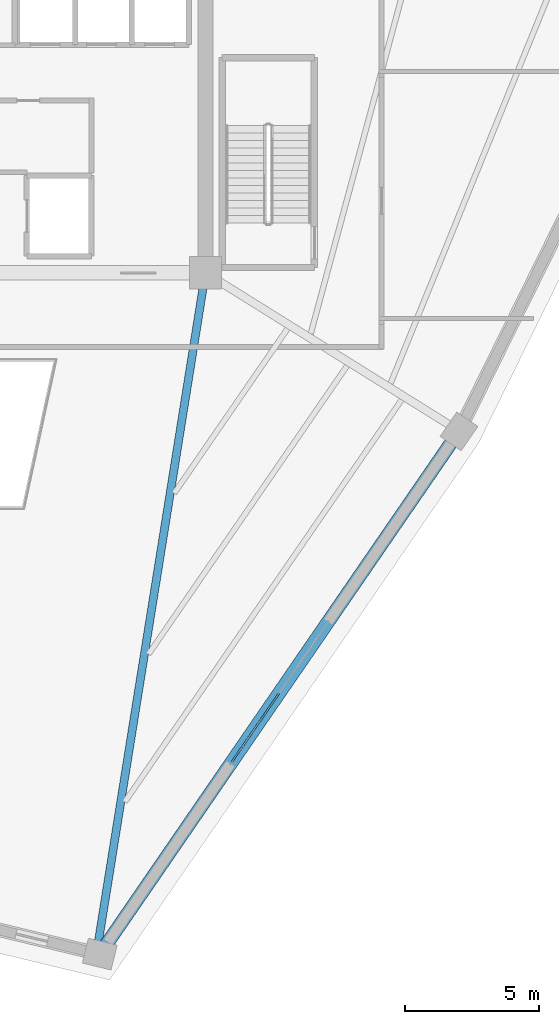
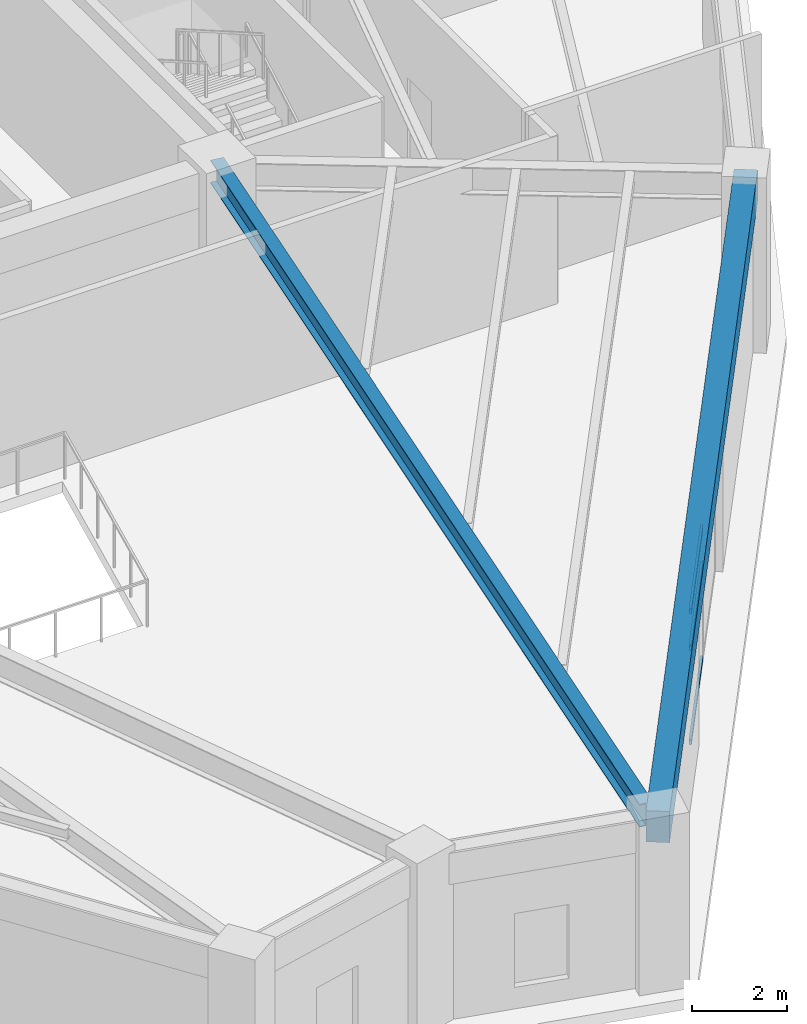
# One storey, part 9 of 35: 3 members, 2 beams, 1 element without a shape of its own.
"""IFC4 building model written with IfcOpenShell, lengths in metres."""

from ifc_helpers import new_model, si_unit, direction, frame, origin, origin_2d, place, context, subcontext, project, spatial, rectangle, hollow_rectangle, i_section, extrude, source, transform, mapped, material, layer, layer_set, material_profile, profile_set, type_object, element, aggregate, save


model = new_model("IFC4")

# Units and contexts
model_context = context("Model", 3, precision=1e-05, world=origin(), true_north=direction((0.0, 1.0)))
body_context = subcontext(model_context, "Body", "Model", "MODEL_VIEW")
ifc_project = project(units=[si_unit("LENGTHUNIT", "METRE"), si_unit("AREAUNIT", "SQUARE_METRE"), si_unit("VOLUMEUNIT", "CUBIC_METRE"), si_unit("PLANEANGLEUNIT", "RADIAN"), si_unit("MASSUNIT", "GRAM", prefix="KILO")], contexts=[model_context])

# Site, building, storey
site_placement = place(None, origin())
site = spatial("IfcSite", under=ifc_project, at=site_placement, CompositionType="ELEMENT")
building_placement = place(site_placement, origin())
building = spatial("IfcBuilding", under=site, at=building_placement, Name="Liaohun Quay Tower", CompositionType="ELEMENT")
storey_placement = place(building_placement, frame((0.0, 0.0, 282.0)))
storey = spatial("IfcBuildingStorey", under=building, at=storey_placement, Name="L73", CompositionType="ELEMENT", Elevation=282.0)

# Beams
ifc_material_1 = material(Name="Precast concrete C50", Category="concrete")
ifc_material_profile_1 = material_profile(ifc_material_1, rectangle(XDim=0.5, YDim=0.800048828125, at=origin_2d()), Name="RC500x800")
ifc_profile_set_1 = profile_set([ifc_material_profile_1], Name="Precast concrete C50")
beam_type_1 = type_object("IfcBeamType", Name="BM-SPD-Z4", PredefinedType="SPANDREL", material=ifc_profile_set_1)
shared_shape_1 = source(origin(), body_context, "Body", "SweptSolid", [
    extrude(rectangle(XDim=0.5, YDim=0.800048828125, at=origin_2d()), origin(), (0.0, 0.0, 1.0), 23.627685546875),
])
beam_1_placement = place(storey_placement, frame((78.445068359375, 40.593994140625, 3.919921875), z_axis=(-0.566416992435, -0.824118796461, 0.0), x_axis=(0.824118796461, -0.566416992435, 0.0)))
element("IfcBeam", 1, at=beam_1_placement, inside=storey, type_object=beam_type_1, Name="L73 Precast Spandrel Beam PC10-PC11", PredefinedType="SPANDREL", context=body_context, shape_type="MappedRepresentation", body=[
    mapped(shared_shape_1, transform((0.0, 0.0, 0.0), x_axis=(1.0, 0.0, 0.0), y_axis=(0.0, 1.0, 0.0), z_axis=(0.0, 0.0, 1.0), scale=1.0)),
])
ifc_material_2 = material(Name="Steel Q355D", Category="steel")
ifc_material_profile_2 = material_profile(ifc_material_2, i_section(OverallWidth=0.300048828125, OverallDepth=0.587890625, WebThickness=0.011962890625, FlangeThickness=0.02001953125, at=origin_2d()), Name="HM588x300x12x20")
ifc_profile_set_2 = profile_set([ifc_material_profile_2], Name="Steel Q355D")
beam_type_2 = type_object("IfcBeamType", Name="BM-RAD-U2", PredefinedType="BEAM", material=ifc_profile_set_2)
shared_shape_2 = source(origin(), body_context, "Body", "SweptSolid", [
    extrude(i_section(OverallWidth=0.300048828125, OverallDepth=0.587890625, WebThickness=0.011962890625, FlangeThickness=0.02001953125, at=origin_2d()), origin(), (0.0, 0.0, 1.0), 25.313232421875),
])
beam_2_placement = place(storey_placement, frame((69.0, 46.5, 4.02587890625), z_axis=(-0.158020594049, -0.987435816576, 0.0), x_axis=(0.987435816576, -0.158020594049, 0.0)))
element("IfcBeam", 2, at=beam_2_placement, inside=storey, type_object=beam_type_2, Name="L73 Radial Primary Girder CC3-PC11", PredefinedType="BEAM", context=body_context, shape_type="MappedRepresentation", body=[
    mapped(shared_shape_2, transform((0.0, 0.0, 0.0), x_axis=(1.0, 0.0, 0.0), y_axis=(0.0, 1.0, 0.0), z_axis=(0.0, 0.0, 1.0), scale=1.0)),
])

# Curtain wall, members
ifc_material_3 = material(Name="Upper sky-lobby belvedere curtain wall")
ifc_layer = layer(ifc_material_3, 0.199951171875, Name="Upper sky-lobby belvedere curtain wall")
ifc_layer_set = layer_set([ifc_layer], Name="Upper sky-lobby belvedere curtain wall")
curtain_wall_type = type_object("IfcCurtainWallType", Name="CW-SKY-L73", PredefinedType="NOTDEFINED", material=ifc_layer_set)
curtain_wall_placement = place(storey_placement, origin())
curtain_wall = element("IfcCurtainWall", 3, at=curtain_wall_placement, inside=storey, type_object=curtain_wall_type, Name="L73 Panoramic Belvedere Curtain Wall 01", PredefinedType="NOTDEFINED")
ifc_material_4 = material(Name="Anodised aluminium 6063-T6", Category="aluminium")
ifc_material_profile_3 = material_profile(ifc_material_4, hollow_rectangle(XDim=0.06005859375, YDim=0.135009765625, WallThickness=0.00390625, at=origin_2d()), Name="RHS135x60x4")
ifc_profile_set_3 = profile_set([ifc_material_profile_3], Name="Anodised aluminium 6063-T6")
member_type = type_object("IfcMemberType", Name="MEM-CWT-SKY", PredefinedType="USERDEFINED", material=ifc_profile_set_3)
shared_shape_3 = source(origin(), body_context, "Body", "SweptSolid", [
    extrude(hollow_rectangle(XDim=0.06005859375, YDim=0.135009765625, WallThickness=0.00390625, at=origin_2d()), origin(), (0.0, 0.0, 1.0), 3.102294921875),
])
member_1_placement = place(storey_placement, frame((69.977783203125, 28.274658203125, 0.030029296875), z_axis=(0.566448663736, 0.824097027875, 0.0), x_axis=(-0.824097027875, 0.566448663736, 0.0)))
member_1 = element("IfcMember", 4, at=member_1_placement, type_object=member_type, Name="CW5 transom 1.1", ObjectType="TRANSOM", PredefinedType="USERDEFINED", context=body_context, shape_type="MappedRepresentation", body=[
    mapped(shared_shape_3, transform((0.0, 0.0, 0.0), x_axis=(1.0, 0.0, 0.0), y_axis=(0.0, 1.0, 0.0), z_axis=(0.0, 0.0, 1.0), scale=1.0)),
])
member_2_placement = place(storey_placement, frame((69.977783203125, 28.274658203125, 2.4619140625), z_axis=(0.566448663736, 0.824097027875, 0.0), x_axis=(-0.824097027875, 0.566448663736, 0.0)))
member_2 = element("IfcMember", 5, at=member_2_placement, type_object=member_type, Name="CW5 transom 1.2", ObjectType="TRANSOM", PredefinedType="USERDEFINED", context=body_context, shape_type="MappedRepresentation", body=[
    mapped(shared_shape_3, transform((0.0, 0.0, 0.0), x_axis=(1.0, 0.0, 0.0), y_axis=(0.0, 1.0, 0.0), z_axis=(0.0, 0.0, 1.0), scale=1.0)),
])
member_3_placement = place(storey_placement, frame((69.977783203125, 28.274658203125, 3.389892578125), z_axis=(0.566448663736, 0.824097027875, 0.0), x_axis=(-0.824097027875, 0.566448663736, 0.0)))
member_3 = element("IfcMember", 6, at=member_3_placement, type_object=member_type, Name="CW5 transom 1.3", ObjectType="TRANSOM", PredefinedType="USERDEFINED", context=body_context, shape_type="MappedRepresentation", body=[
    mapped(shared_shape_3, transform((0.0, 0.0, 0.0), x_axis=(1.0, 0.0, 0.0), y_axis=(0.0, 1.0, 0.0), z_axis=(0.0, 0.0, 1.0), scale=1.0)),
])
aggregate(curtain_wall, [member_1, member_2, member_3])

save(model, "model.ifc")
